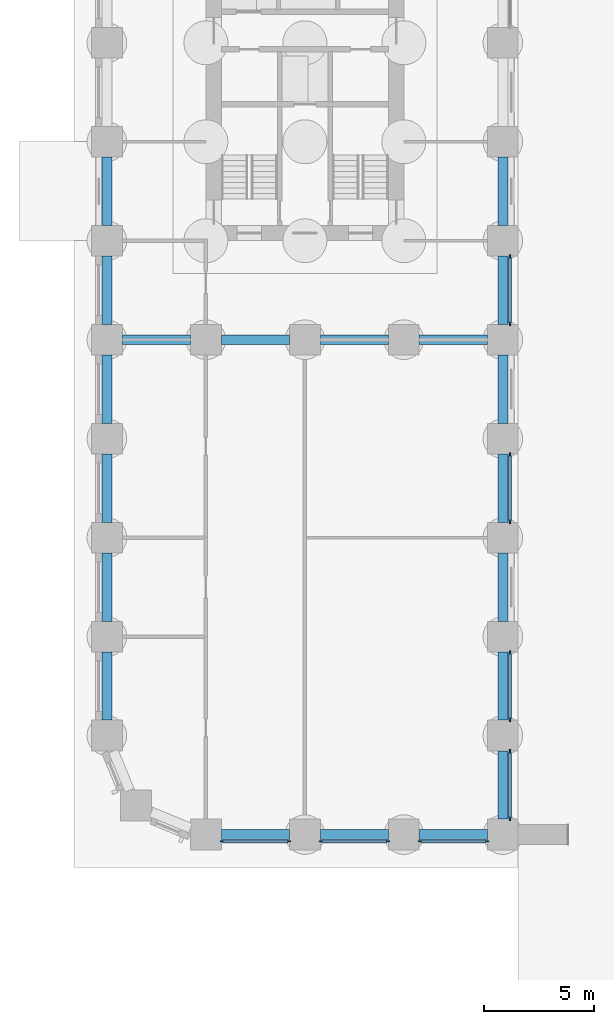
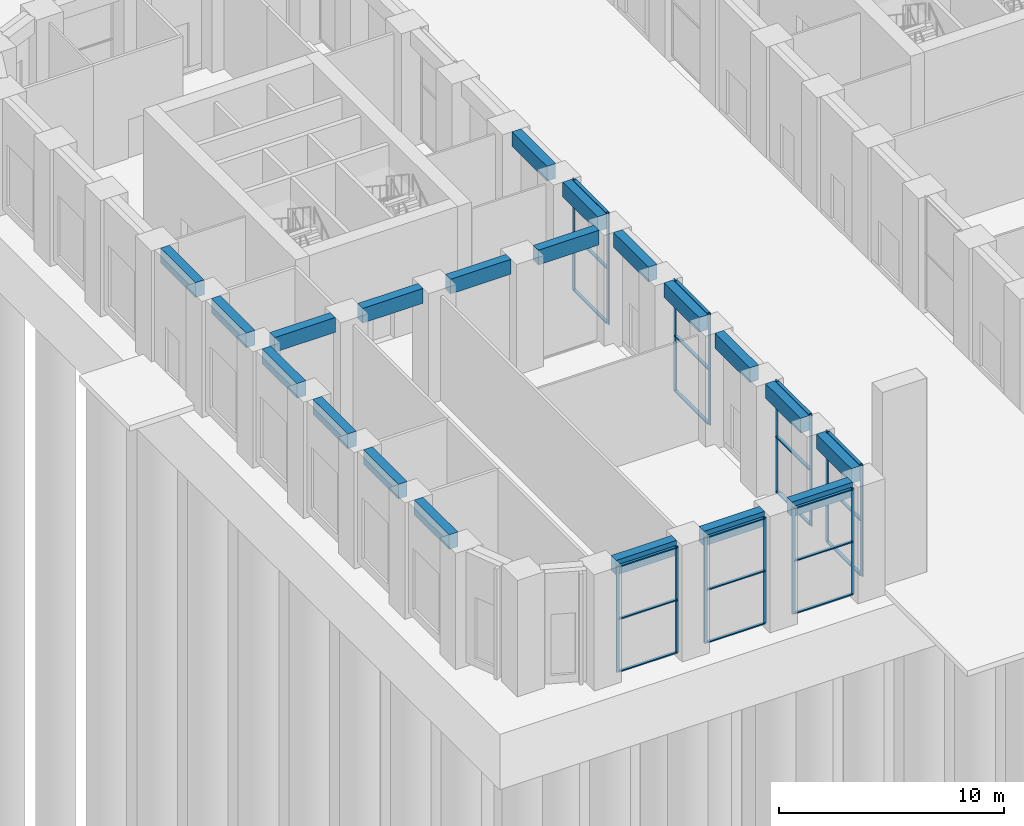
# One storey, part 3 of 31: 35 members, 20 beams, 7 elements without a shape of their own.
"""IFC4 building model written with IfcOpenShell, lengths in metres."""

import ifcopenshell
import ifcopenshell.guid

model = None  # the IFC model being written
_history = None  # IfcOwnerHistory: only IFC2X3 demands one
_inside = {}  # id of a spatial element -> (the spatial element, [elements in it])
_under = {}  # id of a project, library or spatial element -> (it, [spatial elements below it])
_declared = {}  # id of a project -> (the project, [libraries it declares])
_typed = {}  # id of a type object -> (the type object, [elements of that type])
_made_of = {}  # id of a material, layer set ... -> (it, [elements and type objects made of it])


def new_model(schema):
    """Start an empty IFC model of exactly this schema.

    Asked for "IFC4X3", IfcOpenShell would pick the latest addendum, in which some entities
    have other attributes; the version numbers below select the first issue.
    IFC2X3 requires an IfcOwnerHistory on every rooted entity: one is made here for all.
    """
    global model, _history
    if schema == "IFC4X3":
        model = ifcopenshell.file(schema_version=(4, 3, 0, 0))
    else:
        model = ifcopenshell.file(schema=schema)
    _inside.clear()
    _under.clear()
    _declared.clear()
    _typed.clear()
    _made_of.clear()
    _history = None
    if model.schema == "IFC2X3":
        org = make("IfcOrganization", Name="unknown")
        user = make(
            "IfcPersonAndOrganization",
            ThePerson=make("IfcPerson", FamilyName="unknown"),
            TheOrganization=org,
        )
        app = make(
            "IfcApplication",
            ApplicationDeveloper=org,
            Version="unknown",
            ApplicationFullName="unknown",
            ApplicationIdentifier="unknown",
        )
        _history = make(
            "IfcOwnerHistory",
            OwningUser=user,
            OwningApplication=app,
            ChangeAction="ADDED",
            CreationDate=0,
        )
    return model


def make(cls, **values):
    """One entity of the class cls with the attributes given. An attribute that is None is left unset."""
    return model.create_entity(
        cls, **{name: value for name, value in values.items() if value is not None}
    )


def rooted(cls, **values):
    """An entity with a GlobalId (a new one), such as an element, a storey or a relation."""
    return make(cls, GlobalId=ifcopenshell.guid.new(), OwnerHistory=_history, **values)


def si_unit(unit_type, name, prefix=None):
    """IfcSIUnit, for example si_unit("LENGTHUNIT", "METRE", prefix="MILLI")."""
    return make("IfcSIUnit", UnitType=unit_type, Prefix=prefix, Name=name)


def assignment(units):
    """IfcUnitAssignment: the units of a project."""
    return None if units is None else make("IfcUnitAssignment", Units=units)


def point(xyz):
    """IfcCartesianPoint."""
    return None if xyz is None else make("IfcCartesianPoint", Coordinates=xyz)


def direction(xyz):
    """IfcDirection."""
    return None if xyz is None else make("IfcDirection", DirectionRatios=xyz)


def frame(location, z_axis=None, x_axis=None):
    """IfcAxis2Placement3D, a coordinate frame: its origin and axes. An axis left out is left unset."""
    return make(
        "IfcAxis2Placement3D",
        Location=point(location),
        Axis=direction(z_axis),
        RefDirection=direction(x_axis),
    )


def frame_2d(location, x_axis=None):
    """IfcAxis2Placement2D, a coordinate frame in the plane: its origin and x axis."""
    return make(
        "IfcAxis2Placement2D", Location=point(location), RefDirection=direction(x_axis)
    )


def origin():
    """The frame at (0, 0, 0) with its axes left unset."""
    return frame((0.0, 0.0, 0.0))


def origin_2d():
    """The frame at (0, 0) in the plane with its x axis left unset."""
    return frame_2d((0.0, 0.0))


def place(relative_to, where):
    """IfcLocalPlacement: puts the frame where relative to a parent placement (None: the world)."""
    return make(
        "IfcLocalPlacement", PlacementRelTo=relative_to, RelativePlacement=where
    )


def context(
    kind, dimensions, precision=None, world=None, true_north=None, identifier=None
):
    """IfcGeometricRepresentationContext, for example the 3D "Model" context."""
    return make(
        "IfcGeometricRepresentationContext",
        ContextIdentifier=identifier,
        ContextType=kind,
        CoordinateSpaceDimension=dimensions,
        Precision=precision,
        WorldCoordinateSystem=world,
        TrueNorth=true_north,
    )


def subcontext(parent, identifier, kind, view, scale=None):
    """IfcGeometricRepresentationSubContext, for example "Body" below "Model"."""
    return make(
        "IfcGeometricRepresentationSubContext",
        ContextIdentifier=identifier,
        ContextType=kind,
        ParentContext=parent,
        TargetScale=scale,
        TargetView=view,
    )


def project(units=None, contexts=None):
    """IfcProject with its units and contexts."""
    return rooted(
        "IfcProject",
        Name="project",
        RepresentationContexts=contexts,
        UnitsInContext=assignment(units),
    )


def spatial(cls, under=None, at=None, **own):
    """A site, building, storey or space (cls), placed at a placement, below another one or the project."""
    s = rooted(cls, ObjectPlacement=at, **own)
    if under is not None:
        _under.setdefault(under.id(), (under, []))[1].append(s)
    return s


def profile(cls, at=None, kind="AREA", **sizes):
    """A parametric profile (cls). Its sizes go by their IFC names, for example OverallWidth=200.0."""
    return make(cls, ProfileType=kind, Position=at, **sizes)


def rectangle(**sizes):
    """IfcRectangleProfileDef."""
    return profile("IfcRectangleProfileDef", **sizes)


def extrude(swept, where, along, depth):
    """IfcExtrudedAreaSolid: the profile swept, set in the frame where, extruded along a direction by depth."""
    return make(
        "IfcExtrudedAreaSolid",
        SweptArea=swept,
        Position=where,
        ExtrudedDirection=direction(along),
        Depth=depth,
    )


def shape(context_of_items, identifier, shape_type, items):
    """IfcShapeRepresentation: the items that make up one representation, for example the "Body"."""
    return make(
        "IfcShapeRepresentation",
        ContextOfItems=context_of_items,
        RepresentationIdentifier=identifier,
        RepresentationType=shape_type,
        Items=items,
    )


def material(Name=None, Category=None):
    """IfcMaterial."""
    return make("IfcMaterial", Name=Name, Category=Category)


def material_profile(
    of_material, cross_section, Name=None, Category=None, Priority=None
):
    """IfcMaterialProfile: a cross section and its material."""
    return make(
        "IfcMaterialProfile",
        Name=Name,
        Material=of_material,
        Profile=cross_section,
        Priority=Priority,
        Category=Category,
    )


def profile_set(profiles, Name=None, composite=None):
    """IfcMaterialProfileSet."""
    return make(
        "IfcMaterialProfileSet",
        Name=Name,
        MaterialProfiles=profiles,
        CompositeProfile=composite,
    )


def made_of(thing, what):
    """Note that an element or type object is made of a material, layer set ...; save() writes the relation."""
    if what is not None:
        _made_of.setdefault(what.id(), (what, []))[1].append(thing)
    return thing


def type_object(cls, material=None, **own):
    """A type object (cls), such as IfcWallType, which elements share."""
    return made_of(rooted(cls, **own), material)


def element(
    cls,
    number,
    at=None,
    inside=None,
    cuts=None,
    type_object=None,
    material=None,
    context=None,
    identifier="Body",
    shape_type=None,
    held_by="IfcProductDefinitionShape",
    body=None,
    shapes=None,
    **own,
):
    """One element of the class cls, such as IfcWall. Its Tag is "e" and its number.

    at: its placement. inside: the storey or other place that contains it. cuts: it is an
    opening in that element (IfcRelVoidsElement). A single representation is given by context,
    identifier, shape_type and body (its items); several are given by shapes. held_by: the class
    of the entity that holds the representations. save() writes the other relations.
    """
    e = rooted(cls, Tag="e%d" % number, ObjectPlacement=at, **own)
    if body is not None:
        shapes = [shape(context, identifier, shape_type, body)]
    if shapes is not None:
        e.Representation = make(held_by, Representations=shapes)
    if inside is not None:
        _inside.setdefault(inside.id(), (inside, []))[1].append(e)
    if cuts is not None:
        rooted(
            "IfcRelVoidsElement", RelatingBuildingElement=cuts, RelatedOpeningElement=e
        )
    if type_object is not None:
        _typed.setdefault(type_object.id(), (type_object, []))[1].append(e)
    return made_of(e, material)


def aggregate(whole, parts):
    """IfcRelAggregates: a whole, such as a stair, and the parts it consists of."""
    return rooted("IfcRelAggregates", RelatingObject=whole, RelatedObjects=parts)


def save(model, path):
    """Write the relations noted so far, then the file.

    IfcRelAggregates (storeys below a building ...), IfcRelContainedInSpatialStructure (elements
    in a storey), IfcRelDefinesByType, IfcRelAssociatesMaterial and IfcRelDeclares: one each for
    every whole, place, type object, material and project.
    """
    for whole, parts in _under.values():
        aggregate(whole, parts)
    for where, things in _inside.values():
        rooted(
            "IfcRelContainedInSpatialStructure",
            RelatedElements=things,
            RelatingStructure=where,
        )
    for kind, things in _typed.values():
        rooted("IfcRelDefinesByType", RelatedObjects=things, RelatingType=kind)
    for what, things in _made_of.values():
        rooted("IfcRelAssociatesMaterial", RelatedObjects=things, RelatingMaterial=what)
    for by, libraries in _declared.values():
        rooted("IfcRelDeclares", RelatingContext=by, RelatedDefinitions=libraries)
    model.write(path)


model = new_model("IFC4")

# Units and contexts
model_context = context("Model", 3, precision=1e-05, world=origin(), true_north=direction((0.0, 1.0)))
body_context = subcontext(model_context, "Body", "Model", "MODEL_VIEW")
ifc_project = project(units=[si_unit("LENGTHUNIT", "METRE"), si_unit("AREAUNIT", "SQUARE_METRE"), si_unit("VOLUMEUNIT", "CUBIC_METRE"), si_unit("PLANEANGLEUNIT", "RADIAN"), si_unit("MASSUNIT", "GRAM", prefix="KILO")], contexts=[model_context])

# Site, building, storey
site_placement = place(None, origin())
site = spatial("IfcSite", under=ifc_project, at=site_placement, CompositionType="ELEMENT")
building_placement = place(site_placement, origin())
building = spatial("IfcBuilding", under=site, at=building_placement, Name="Girih Gate Residences", CompositionType="ELEMENT")
storey_placement = place(building_placement, origin())
storey = spatial("IfcBuildingStorey", under=building, at=storey_placement, Name="L00", CompositionType="ELEMENT", Elevation=0.0)

# Curtain wall, members
ifc_material_1 = material(Name="Aluminium curtain wall frame", Category="aluminium")
curtain_wall_type_1 = type_object("IfcCurtainWallType", Name="Curtain wall CW-6 street frontage glazing", PredefinedType="NOTDEFINED", material=ifc_material_1)
curtain_wall_1_placement = place(storey_placement, origin())
curtain_wall_1 = element("IfcCurtainWall", 1, at=curtain_wall_1_placement, inside=storey, type_object=curtain_wall_type_1, Name="CW-6 Street frontage glazing S0045_0000.0", PredefinedType="NOTDEFINED")
ifc_material_profile_1 = material_profile(ifc_material_1, rectangle(XDim=0.06005859375, YDim=0.159912109375, at=origin_2d()))
ifc_profile_set_1 = profile_set([ifc_material_profile_1], Name="Aluminium curtain wall frame")
member_type_1 = type_object("IfcMemberType", Name="Curtain wall mullion 60x160", PredefinedType="MULLION", material=ifc_profile_set_1)
member_1_placement = place(storey_placement, frame((5.22998046875, -0.304931640625, 0.0), z_axis=(0.0, 0.0, 1.0), x_axis=(0.0, 1.0, 0.0)))
member_1 = element("IfcMember", 2, at=member_1_placement, type_object=member_type_1, Name="CW-6 mullion 1", PredefinedType="MULLION", context=body_context, shape_type="SweptSolid", body=[
    extrude(rectangle(XDim=0.06005859375, YDim=0.159912109375, at=origin_2d()), origin(), (0.0, 0.0, 1.0), 5.75),
])
member_2_placement = place(storey_placement, frame((8.27001953125, -0.304931640625, 0.0), z_axis=(0.0, 0.0, 1.0), x_axis=(0.0, 1.0, 0.0)))
member_2 = element("IfcMember", 3, at=member_2_placement, type_object=member_type_1, Name="CW-6 mullion 2", PredefinedType="MULLION", context=body_context, shape_type="SweptSolid", body=[
    extrude(rectangle(XDim=0.06005859375, YDim=0.159912109375, at=origin_2d()), origin(), (0.0, 0.0, 1.0), 5.75),
])

curtain_wall_2_placement = place(storey_placement, origin())
curtain_wall_2 = element("IfcCurtainWall", 4, at=curtain_wall_2_placement, inside=storey, type_object=curtain_wall_type_1, Name="CW-6 Street frontage glazing S0045_0000.1", PredefinedType="NOTDEFINED")
member_3_placement = place(storey_placement, frame((9.72998046875, -0.304931640625, 0.0), z_axis=(0.0, 0.0, 1.0), x_axis=(0.0, 1.0, 0.0)))
member_3 = element("IfcMember", 5, at=member_3_placement, type_object=member_type_1, Name="CW-6 mullion 1", PredefinedType="MULLION", context=body_context, shape_type="SweptSolid", body=[
    extrude(rectangle(XDim=0.06005859375, YDim=0.159912109375, at=origin_2d()), origin(), (0.0, 0.0, 1.0), 5.75),
])
member_4_placement = place(storey_placement, frame((12.77001953125, -0.304931640625, 0.0), z_axis=(0.0, 0.0, 1.0), x_axis=(0.0, 1.0, 0.0)))
member_4 = element("IfcMember", 6, at=member_4_placement, type_object=member_type_1, Name="CW-6 mullion 2", PredefinedType="MULLION", context=body_context, shape_type="SweptSolid", body=[
    extrude(rectangle(XDim=0.06005859375, YDim=0.159912109375, at=origin_2d()), origin(), (0.0, 0.0, 1.0), 5.75),
])

curtain_wall_3_placement = place(storey_placement, origin())
curtain_wall_3 = element("IfcCurtainWall", 7, at=curtain_wall_3_placement, inside=storey, type_object=curtain_wall_type_1, Name="CW-6 Street frontage glazing S0045_0000.2", PredefinedType="NOTDEFINED")
member_5_placement = place(storey_placement, frame((14.22998046875, -0.304931640625, 0.0), z_axis=(0.0, 0.0, 1.0), x_axis=(0.0, 1.0, 0.0)))
member_5 = element("IfcMember", 8, at=member_5_placement, type_object=member_type_1, Name="CW-6 mullion 1", PredefinedType="MULLION", context=body_context, shape_type="SweptSolid", body=[
    extrude(rectangle(XDim=0.06005859375, YDim=0.159912109375, at=origin_2d()), origin(), (0.0, 0.0, 1.0), 5.75),
])
member_6_placement = place(storey_placement, frame((17.27001953125, -0.304931640625, 0.0), z_axis=(0.0, 0.0, 1.0), x_axis=(0.0, 1.0, 0.0)))
member_6 = element("IfcMember", 9, at=member_6_placement, type_object=member_type_1, Name="CW-6 mullion 2", PredefinedType="MULLION", context=body_context, shape_type="SweptSolid", body=[
    extrude(rectangle(XDim=0.06005859375, YDim=0.159912109375, at=origin_2d()), origin(), (0.0, 0.0, 1.0), 5.75),
])

curtain_wall_type_2 = type_object("IfcCurtainWallType", Name="Curtain wall CW-1 arcade glazing", PredefinedType="NOTDEFINED", material=ifc_material_1)
curtain_wall_4_placement = place(storey_placement, origin())
curtain_wall_4 = element("IfcCurtainWall", 10, at=curtain_wall_4_placement, inside=storey, type_object=curtain_wall_type_2, Name="CW-1 Arcade glazing E0180_0000.0", PredefinedType="NOTDEFINED")
ifc_material_profile_2 = material_profile(ifc_material_1, rectangle(XDim=0.06005859375, YDim=0.199951171875, at=origin_2d()))
ifc_profile_set_2 = profile_set([ifc_material_profile_2], Name="Aluminium curtain wall frame")
member_type_2 = type_object("IfcMemberType", Name="Curtain wall mullion 60x200", PredefinedType="MULLION", material=ifc_profile_set_2)
member_7_placement = place(storey_placement, frame((18.324951171875, 0.72998046875, 0.0), z_axis=(0.0, 0.0, 1.0), x_axis=(-1.0, 0.0, 0.0)))
member_7 = element("IfcMember", 11, at=member_7_placement, type_object=member_type_2, Name="CW-1 mullion 1", PredefinedType="MULLION", context=body_context, shape_type="SweptSolid", body=[
    extrude(rectangle(XDim=0.06005859375, YDim=0.199951171875, at=origin_2d()), origin(), (0.0, 0.0, 1.0), 6.0),
])
member_8_placement = place(storey_placement, frame((18.324951171875, 3.77001953125, 0.0), z_axis=(0.0, 0.0, 1.0), x_axis=(-1.0, 0.0, 0.0)))
member_8 = element("IfcMember", 12, at=member_8_placement, type_object=member_type_2, Name="CW-1 mullion 2", PredefinedType="MULLION", context=body_context, shape_type="SweptSolid", body=[
    extrude(rectangle(XDim=0.06005859375, YDim=0.199951171875, at=origin_2d()), origin(), (0.0, 0.0, 1.0), 6.0),
])

curtain_wall_5_placement = place(storey_placement, origin())
curtain_wall_5 = element("IfcCurtainWall", 13, at=curtain_wall_5_placement, inside=storey, type_object=curtain_wall_type_2, Name="CW-1 Arcade glazing E0180_0000.1", PredefinedType="NOTDEFINED")
member_9_placement = place(storey_placement, frame((18.324951171875, 5.22998046875, 0.0), z_axis=(0.0, 0.0, 1.0), x_axis=(-1.0, 0.0, 0.0)))
member_9 = element("IfcMember", 14, at=member_9_placement, type_object=member_type_2, Name="CW-1 mullion 1", PredefinedType="MULLION", context=body_context, shape_type="SweptSolid", body=[
    extrude(rectangle(XDim=0.06005859375, YDim=0.199951171875, at=origin_2d()), origin(), (0.0, 0.0, 1.0), 6.0),
])
member_10_placement = place(storey_placement, frame((18.324951171875, 8.27001953125, 0.0), z_axis=(0.0, 0.0, 1.0), x_axis=(-1.0, 0.0, 0.0)))
member_10 = element("IfcMember", 15, at=member_10_placement, type_object=member_type_2, Name="CW-1 mullion 2", PredefinedType="MULLION", context=body_context, shape_type="SweptSolid", body=[
    extrude(rectangle(XDim=0.06005859375, YDim=0.199951171875, at=origin_2d()), origin(), (0.0, 0.0, 1.0), 6.0),
])

curtain_wall_6_placement = place(storey_placement, origin())
curtain_wall_6 = element("IfcCurtainWall", 16, at=curtain_wall_6_placement, inside=storey, type_object=curtain_wall_type_2, Name="CW-1 Arcade glazing E0180_0000.3", PredefinedType="NOTDEFINED")
member_11_placement = place(storey_placement, frame((18.324951171875, 14.22998046875, 0.0), z_axis=(0.0, 0.0, 1.0), x_axis=(-1.0, 0.0, 0.0)))
member_11 = element("IfcMember", 17, at=member_11_placement, type_object=member_type_2, Name="CW-1 mullion 1", PredefinedType="MULLION", context=body_context, shape_type="SweptSolid", body=[
    extrude(rectangle(XDim=0.06005859375, YDim=0.199951171875, at=origin_2d()), origin(), (0.0, 0.0, 1.0), 6.0),
])
member_12_placement = place(storey_placement, frame((18.324951171875, 17.27001953125, 0.0), z_axis=(0.0, 0.0, 1.0), x_axis=(-1.0, 0.0, 0.0)))
member_12 = element("IfcMember", 18, at=member_12_placement, type_object=member_type_2, Name="CW-1 mullion 2", PredefinedType="MULLION", context=body_context, shape_type="SweptSolid", body=[
    extrude(rectangle(XDim=0.06005859375, YDim=0.199951171875, at=origin_2d()), origin(), (0.0, 0.0, 1.0), 6.0),
])

curtain_wall_7_placement = place(storey_placement, origin())
curtain_wall_7 = element("IfcCurtainWall", 19, at=curtain_wall_7_placement, inside=storey, type_object=curtain_wall_type_2, Name="CW-1 Arcade glazing E0180_0000.5", PredefinedType="NOTDEFINED")
member_13_placement = place(storey_placement, frame((18.324951171875, 23.22998046875, 0.0), z_axis=(0.0, 0.0, 1.0), x_axis=(-1.0, 0.0, 0.0)))
member_13 = element("IfcMember", 20, at=member_13_placement, type_object=member_type_2, Name="CW-1 mullion 1", PredefinedType="MULLION", context=body_context, shape_type="SweptSolid", body=[
    extrude(rectangle(XDim=0.06005859375, YDim=0.199951171875, at=origin_2d()), origin(), (0.0, 0.0, 1.0), 6.0),
])
member_14_placement = place(storey_placement, frame((18.324951171875, 26.27001953125, 0.0), z_axis=(0.0, 0.0, 1.0), x_axis=(-1.0, 0.0, 0.0)))
member_14 = element("IfcMember", 21, at=member_14_placement, type_object=member_type_2, Name="CW-1 mullion 2", PredefinedType="MULLION", context=body_context, shape_type="SweptSolid", body=[
    extrude(rectangle(XDim=0.06005859375, YDim=0.199951171875, at=origin_2d()), origin(), (0.0, 0.0, 1.0), 6.0),
])

# Member
ifc_material_profile_3 = material_profile(ifc_material_1, rectangle(XDim=0.139892578125, YDim=0.06005859375, at=origin_2d()))
ifc_profile_set_3 = profile_set([ifc_material_profile_3], Name="Aluminium curtain wall frame")
member_type_3 = type_object("IfcMemberType", Name="Curtain wall transom 60x140", PredefinedType="USERDEFINED", material=ifc_profile_set_3)
member_15_placement = place(storey_placement, frame((5.260009765625, -0.304931640625, 0.030029296875), z_axis=(1.0, 0.0, 0.0), x_axis=(0.0, 1.0, 0.0)))
member_15 = element("IfcMember", 22, at=member_15_placement, type_object=member_type_3, Name="CW-6 transom 1.1", ObjectType="TRANSOM", PredefinedType="USERDEFINED", context=body_context, shape_type="SweptSolid", body=[
    extrude(rectangle(XDim=0.139892578125, YDim=0.06005859375, at=origin_2d()), origin(), (0.0, 0.0, 1.0), 2.97998046875),
])

member_16_placement = place(storey_placement, frame((5.260009765625, -0.304931640625, 2.875), z_axis=(1.0, 0.0, 0.0), x_axis=(0.0, 1.0, 0.0)))
member_16 = element("IfcMember", 23, at=member_16_placement, type_object=member_type_3, Name="CW-6 transom 1.2", ObjectType="TRANSOM", PredefinedType="USERDEFINED", context=body_context, shape_type="SweptSolid", body=[
    extrude(rectangle(XDim=0.139892578125, YDim=0.06005859375, at=origin_2d()), origin(), (0.0, 0.0, 1.0), 2.97998046875),
])

member_17_placement = place(storey_placement, frame((5.260009765625, -0.304931640625, 5.719970703125), z_axis=(1.0, 0.0, 0.0), x_axis=(0.0, 1.0, 0.0)))
member_17 = element("IfcMember", 24, at=member_17_placement, type_object=member_type_3, Name="CW-6 transom 1.3", ObjectType="TRANSOM", PredefinedType="USERDEFINED", context=body_context, shape_type="SweptSolid", body=[
    extrude(rectangle(XDim=0.139892578125, YDim=0.06005859375, at=origin_2d()), origin(), (0.0, 0.0, 1.0), 2.97998046875),
])

aggregate(curtain_wall_1, [member_1, member_2, member_15, member_16, member_17])

member_18_placement = place(storey_placement, frame((9.760009765625, -0.304931640625, 0.030029296875), z_axis=(1.0, 0.0, 0.0), x_axis=(0.0, 1.0, 0.0)))
member_18 = element("IfcMember", 25, at=member_18_placement, type_object=member_type_3, Name="CW-6 transom 1.1", ObjectType="TRANSOM", PredefinedType="USERDEFINED", context=body_context, shape_type="SweptSolid", body=[
    extrude(rectangle(XDim=0.139892578125, YDim=0.06005859375, at=origin_2d()), origin(), (0.0, 0.0, 1.0), 2.97998046875),
])

member_19_placement = place(storey_placement, frame((9.760009765625, -0.304931640625, 2.875), z_axis=(1.0, 0.0, 0.0), x_axis=(0.0, 1.0, 0.0)))
member_19 = element("IfcMember", 26, at=member_19_placement, type_object=member_type_3, Name="CW-6 transom 1.2", ObjectType="TRANSOM", PredefinedType="USERDEFINED", context=body_context, shape_type="SweptSolid", body=[
    extrude(rectangle(XDim=0.139892578125, YDim=0.06005859375, at=origin_2d()), origin(), (0.0, 0.0, 1.0), 2.97998046875),
])

member_20_placement = place(storey_placement, frame((9.760009765625, -0.304931640625, 5.719970703125), z_axis=(1.0, 0.0, 0.0), x_axis=(0.0, 1.0, 0.0)))
member_20 = element("IfcMember", 27, at=member_20_placement, type_object=member_type_3, Name="CW-6 transom 1.3", ObjectType="TRANSOM", PredefinedType="USERDEFINED", context=body_context, shape_type="SweptSolid", body=[
    extrude(rectangle(XDim=0.139892578125, YDim=0.06005859375, at=origin_2d()), origin(), (0.0, 0.0, 1.0), 2.97998046875),
])

aggregate(curtain_wall_2, [member_3, member_4, member_18, member_19, member_20])

member_21_placement = place(storey_placement, frame((14.260009765625, -0.304931640625, 0.030029296875), z_axis=(1.0, 0.0, 0.0), x_axis=(0.0, 1.0, 0.0)))
member_21 = element("IfcMember", 28, at=member_21_placement, type_object=member_type_3, Name="CW-6 transom 1.1", ObjectType="TRANSOM", PredefinedType="USERDEFINED", context=body_context, shape_type="SweptSolid", body=[
    extrude(rectangle(XDim=0.139892578125, YDim=0.06005859375, at=origin_2d()), origin(), (0.0, 0.0, 1.0), 2.97998046875),
])

member_22_placement = place(storey_placement, frame((14.260009765625, -0.304931640625, 2.875), z_axis=(1.0, 0.0, 0.0), x_axis=(0.0, 1.0, 0.0)))
member_22 = element("IfcMember", 29, at=member_22_placement, type_object=member_type_3, Name="CW-6 transom 1.2", ObjectType="TRANSOM", PredefinedType="USERDEFINED", context=body_context, shape_type="SweptSolid", body=[
    extrude(rectangle(XDim=0.139892578125, YDim=0.06005859375, at=origin_2d()), origin(), (0.0, 0.0, 1.0), 2.97998046875),
])

member_23_placement = place(storey_placement, frame((14.260009765625, -0.304931640625, 5.719970703125), z_axis=(1.0, 0.0, 0.0), x_axis=(0.0, 1.0, 0.0)))
member_23 = element("IfcMember", 30, at=member_23_placement, type_object=member_type_3, Name="CW-6 transom 1.3", ObjectType="TRANSOM", PredefinedType="USERDEFINED", context=body_context, shape_type="SweptSolid", body=[
    extrude(rectangle(XDim=0.139892578125, YDim=0.06005859375, at=origin_2d()), origin(), (0.0, 0.0, 1.0), 2.97998046875),
])

aggregate(curtain_wall_3, [member_5, member_6, member_21, member_22, member_23])

ifc_material_profile_4 = material_profile(ifc_material_1, rectangle(XDim=0.159912109375, YDim=0.06005859375, at=origin_2d()))
ifc_profile_set_4 = profile_set([ifc_material_profile_4], Name="Aluminium curtain wall frame")
member_type_4 = type_object("IfcMemberType", Name="Curtain wall transom 60x160", PredefinedType="USERDEFINED", material=ifc_profile_set_4)
member_24_placement = place(storey_placement, frame((18.324951171875, 0.760009765625, 0.030029296875), z_axis=(0.0, 1.0, 0.0), x_axis=(-1.0, 0.0, 0.0)))
member_24 = element("IfcMember", 31, at=member_24_placement, type_object=member_type_4, Name="CW-1 transom 1.1", ObjectType="TRANSOM", PredefinedType="USERDEFINED", context=body_context, shape_type="SweptSolid", body=[
    extrude(rectangle(XDim=0.159912109375, YDim=0.06005859375, at=origin_2d()), origin(), (0.0, 0.0, 1.0), 2.97998046875),
])

member_25_placement = place(storey_placement, frame((18.324951171875, 0.760009765625, 3.0), z_axis=(0.0, 1.0, 0.0), x_axis=(-1.0, 0.0, 0.0)))
member_25 = element("IfcMember", 32, at=member_25_placement, type_object=member_type_4, Name="CW-1 transom 1.2", ObjectType="TRANSOM", PredefinedType="USERDEFINED", context=body_context, shape_type="SweptSolid", body=[
    extrude(rectangle(XDim=0.159912109375, YDim=0.06005859375, at=origin_2d()), origin(), (0.0, 0.0, 1.0), 2.97998046875),
])

member_26_placement = place(storey_placement, frame((18.324951171875, 0.760009765625, 5.969970703125), z_axis=(0.0, 1.0, 0.0), x_axis=(-1.0, 0.0, 0.0)))
member_26 = element("IfcMember", 33, at=member_26_placement, type_object=member_type_4, Name="CW-1 transom 1.3", ObjectType="TRANSOM", PredefinedType="USERDEFINED", context=body_context, shape_type="SweptSolid", body=[
    extrude(rectangle(XDim=0.159912109375, YDim=0.06005859375, at=origin_2d()), origin(), (0.0, 0.0, 1.0), 2.97998046875),
])

aggregate(curtain_wall_4, [member_7, member_8, member_24, member_25, member_26])

member_27_placement = place(storey_placement, frame((18.324951171875, 5.260009765625, 0.030029296875), z_axis=(0.0, 1.0, 0.0), x_axis=(-1.0, 0.0, 0.0)))
member_27 = element("IfcMember", 34, at=member_27_placement, type_object=member_type_4, Name="CW-1 transom 1.1", ObjectType="TRANSOM", PredefinedType="USERDEFINED", context=body_context, shape_type="SweptSolid", body=[
    extrude(rectangle(XDim=0.159912109375, YDim=0.06005859375, at=origin_2d()), origin(), (0.0, 0.0, 1.0), 2.97998046875),
])

member_28_placement = place(storey_placement, frame((18.324951171875, 5.260009765625, 3.0), z_axis=(0.0, 1.0, 0.0), x_axis=(-1.0, 0.0, 0.0)))
member_28 = element("IfcMember", 35, at=member_28_placement, type_object=member_type_4, Name="CW-1 transom 1.2", ObjectType="TRANSOM", PredefinedType="USERDEFINED", context=body_context, shape_type="SweptSolid", body=[
    extrude(rectangle(XDim=0.159912109375, YDim=0.06005859375, at=origin_2d()), origin(), (0.0, 0.0, 1.0), 2.97998046875),
])

member_29_placement = place(storey_placement, frame((18.324951171875, 5.260009765625, 5.969970703125), z_axis=(0.0, 1.0, 0.0), x_axis=(-1.0, 0.0, 0.0)))
member_29 = element("IfcMember", 36, at=member_29_placement, type_object=member_type_4, Name="CW-1 transom 1.3", ObjectType="TRANSOM", PredefinedType="USERDEFINED", context=body_context, shape_type="SweptSolid", body=[
    extrude(rectangle(XDim=0.159912109375, YDim=0.06005859375, at=origin_2d()), origin(), (0.0, 0.0, 1.0), 2.97998046875),
])

aggregate(curtain_wall_5, [member_9, member_10, member_27, member_28, member_29])

member_30_placement = place(storey_placement, frame((18.324951171875, 14.260009765625, 0.030029296875), z_axis=(0.0, 1.0, 0.0), x_axis=(-1.0, 0.0, 0.0)))
member_30 = element("IfcMember", 37, at=member_30_placement, type_object=member_type_4, Name="CW-1 transom 1.1", ObjectType="TRANSOM", PredefinedType="USERDEFINED", context=body_context, shape_type="SweptSolid", body=[
    extrude(rectangle(XDim=0.159912109375, YDim=0.06005859375, at=origin_2d()), origin(), (0.0, 0.0, 1.0), 2.97998046875),
])

member_31_placement = place(storey_placement, frame((18.324951171875, 14.260009765625, 3.0), z_axis=(0.0, 1.0, 0.0), x_axis=(-1.0, 0.0, 0.0)))
member_31 = element("IfcMember", 38, at=member_31_placement, type_object=member_type_4, Name="CW-1 transom 1.2", ObjectType="TRANSOM", PredefinedType="USERDEFINED", context=body_context, shape_type="SweptSolid", body=[
    extrude(rectangle(XDim=0.159912109375, YDim=0.06005859375, at=origin_2d()), origin(), (0.0, 0.0, 1.0), 2.97998046875),
])

member_32_placement = place(storey_placement, frame((18.324951171875, 14.260009765625, 5.969970703125), z_axis=(0.0, 1.0, 0.0), x_axis=(-1.0, 0.0, 0.0)))
member_32 = element("IfcMember", 39, at=member_32_placement, type_object=member_type_4, Name="CW-1 transom 1.3", ObjectType="TRANSOM", PredefinedType="USERDEFINED", context=body_context, shape_type="SweptSolid", body=[
    extrude(rectangle(XDim=0.159912109375, YDim=0.06005859375, at=origin_2d()), origin(), (0.0, 0.0, 1.0), 2.97998046875),
])

aggregate(curtain_wall_6, [member_11, member_12, member_30, member_31, member_32])

member_33_placement = place(storey_placement, frame((18.324951171875, 23.260009765625, 0.030029296875), z_axis=(0.0, 1.0, 0.0), x_axis=(-1.0, 0.0, 0.0)))
member_33 = element("IfcMember", 40, at=member_33_placement, type_object=member_type_4, Name="CW-1 transom 1.1", ObjectType="TRANSOM", PredefinedType="USERDEFINED", context=body_context, shape_type="SweptSolid", body=[
    extrude(rectangle(XDim=0.159912109375, YDim=0.06005859375, at=origin_2d()), origin(), (0.0, 0.0, 1.0), 2.97998046875),
])

member_34_placement = place(storey_placement, frame((18.324951171875, 23.260009765625, 3.0), z_axis=(0.0, 1.0, 0.0), x_axis=(-1.0, 0.0, 0.0)))
member_34 = element("IfcMember", 41, at=member_34_placement, type_object=member_type_4, Name="CW-1 transom 1.2", ObjectType="TRANSOM", PredefinedType="USERDEFINED", context=body_context, shape_type="SweptSolid", body=[
    extrude(rectangle(XDim=0.159912109375, YDim=0.06005859375, at=origin_2d()), origin(), (0.0, 0.0, 1.0), 2.97998046875),
])

member_35_placement = place(storey_placement, frame((18.324951171875, 23.260009765625, 5.969970703125), z_axis=(0.0, 1.0, 0.0), x_axis=(-1.0, 0.0, 0.0)))
member_35 = element("IfcMember", 42, at=member_35_placement, type_object=member_type_4, Name="CW-1 transom 1.3", ObjectType="TRANSOM", PredefinedType="USERDEFINED", context=body_context, shape_type="SweptSolid", body=[
    extrude(rectangle(XDim=0.159912109375, YDim=0.06005859375, at=origin_2d()), origin(), (0.0, 0.0, 1.0), 2.97998046875),
])

aggregate(curtain_wall_7, [member_13, member_14, member_33, member_34, member_35])

# Beams
ifc_material_2 = material(Name="Concrete C60/75", Category="concrete")
ifc_material_profile_5 = material_profile(ifc_material_2, rectangle(XDim=0.449951171875, YDim=0.800048828125, at=origin_2d()))
ifc_profile_set_5 = profile_set([ifc_material_profile_5], Name="Concrete C60/75")
beam_type = type_object("IfcBeamType", Name="Spandrel girder RC 450x800 Concrete C60/75", PredefinedType="BEAM", material=ifc_profile_set_5)
for number, where, z_axis, x_axis, name in (
    (43, (0.0, 30.800048828125, 5.60009765625), (0.0, -1.0, 0.0), (1.0, 0.0, 0.0), "Spandrel girder SP-P1H-P1G L00"),
    (44, (0.0, 26.300048828125, 5.60009765625), (0.0, -1.0, 0.0), (1.0, 0.0, 0.0), "Spandrel girder SP-P1G-P1F L00"),
    (45, (0.0, 21.800048828125, 5.60009765625), (0.0, -1.0, 0.0), (1.0, 0.0, 0.0), "Spandrel girder SP-P1F-P1E L00"),
    (46, (0.0, 17.300048828125, 5.60009765625), (0.0, -1.0, 0.0), (1.0, 0.0, 0.0), "Spandrel girder SP-P1E-P1D L00"),
    (47, (0.0, 12.800048828125, 5.60009765625), (0.0, -1.0, 0.0), (1.0, 0.0, 0.0), "Spandrel girder SP-P1D-P1C L00"),
    (48, (0.0, 8.300048828125, 5.60009765625), (0.0, -1.0, 0.0), (1.0, 0.0, 0.0), "Spandrel girder SP-P1C-P1B L00"),
    (49, (5.199951171875, 0.0, 5.60009765625), (1.0, 0.0, 0.0), (0.0, 1.0, 0.0), "Spandrel girder SP-P2A-P3A L00"),
    (50, (9.699951171875, 0.0, 5.60009765625), (1.0, 0.0, 0.0), (0.0, 1.0, 0.0), "Spandrel girder SP-P3A-P4A L00"),
    (51, (14.199951171875, 0.0, 5.60009765625), (1.0, 0.0, 0.0), (0.0, 1.0, 0.0), "Spandrel girder SP-P4A-P5A L00"),
    (52, (18.0, 0.699951171875, 5.60009765625), (0.0, 1.0, 0.0), (-1.0, 0.0, 0.0), "Spandrel girder SP-P5A-P5B L00"),
    (53, (18.0, 5.199951171875, 5.60009765625), (0.0, 1.0, 0.0), (-1.0, 0.0, 0.0), "Spandrel girder SP-P5B-P5C L00"),
    (54, (18.0, 9.699951171875, 5.60009765625), (0.0, 1.0, 0.0), (-1.0, 0.0, 0.0), "Spandrel girder SP-P5C-P5D L00"),
    (55, (18.0, 14.199951171875, 5.60009765625), (0.0, 1.0, 0.0), (-1.0, 0.0, 0.0), "Spandrel girder SP-P5D-P5E L00"),
    (56, (18.0, 18.699951171875, 5.60009765625), (0.0, 1.0, 0.0), (-1.0, 0.0, 0.0), "Spandrel girder SP-P5E-P5F L00"),
    (57, (18.0, 23.199951171875, 5.60009765625), (0.0, 1.0, 0.0), (-1.0, 0.0, 0.0), "Spandrel girder SP-P5F-P5G L00"),
    (58, (18.0, 27.699951171875, 5.60009765625), (0.0, 1.0, 0.0), (-1.0, 0.0, 0.0), "Spandrel girder SP-P5G-P5H L00"),
    (59, (0.699951171875, 22.5, 5.60009765625), (1.0, 0.0, 0.0), (0.0, 1.0, 0.0), "Spandrel girder SP-P1F-P2F L00"),
    (60, (5.199951171875, 22.5, 5.60009765625), (1.0, 0.0, 0.0), (0.0, 1.0, 0.0), "Spandrel girder SP-P2F-P3F L00"),
    (61, (9.699951171875, 22.5, 5.60009765625), (1.0, 0.0, 0.0), (0.0, 1.0, 0.0), "Spandrel girder SP-P3F-P4F L00"),
    (62, (14.199951171875, 22.5, 5.60009765625), (1.0, 0.0, 0.0), (0.0, 1.0, 0.0), "Spandrel girder SP-P4F-P5F L00"),
):
    element("IfcBeam", number, at=place(storey_placement, frame(where, z_axis=z_axis, x_axis=x_axis)), inside=storey, type_object=beam_type, Name=name, PredefinedType="BEAM", context=body_context, shape_type="SweptSolid", body=[
        extrude(rectangle(XDim=0.449951171875, YDim=0.800048828125, at=origin_2d()), origin(), (0.0, 0.0, 1.0), 3.10009765625),
    ])

save(model, "model.ifc")
